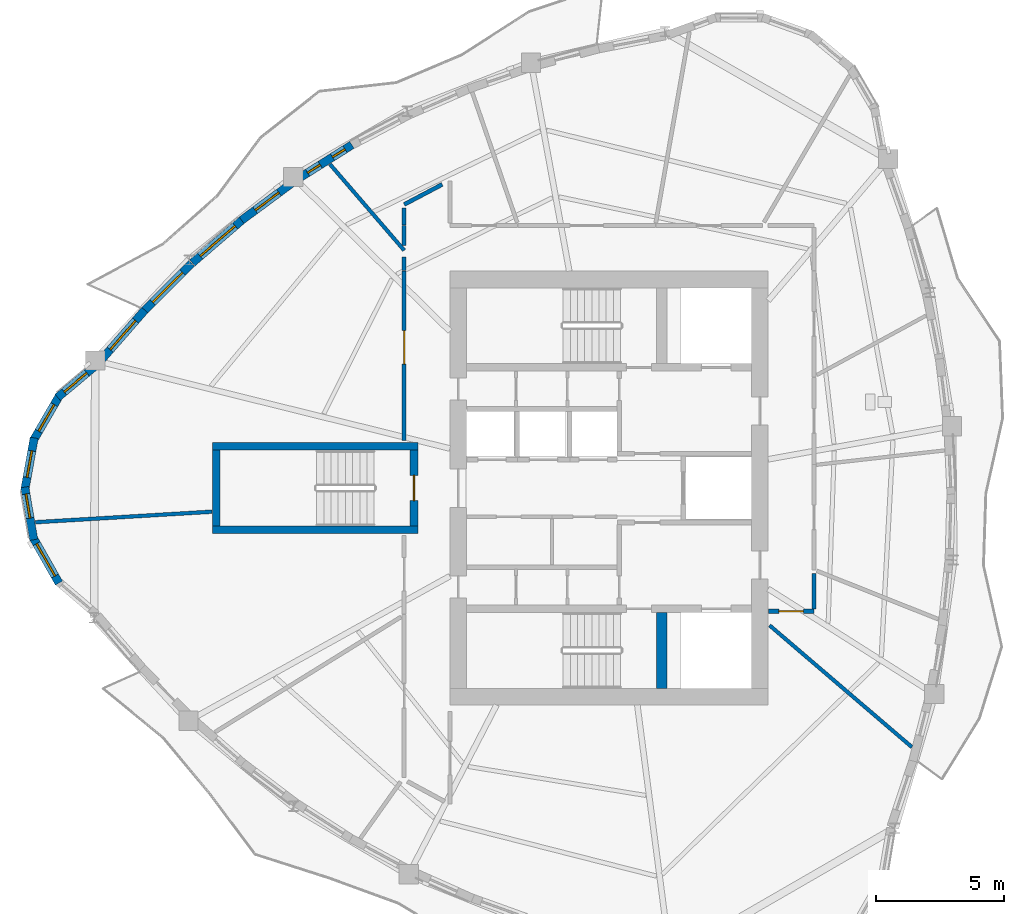
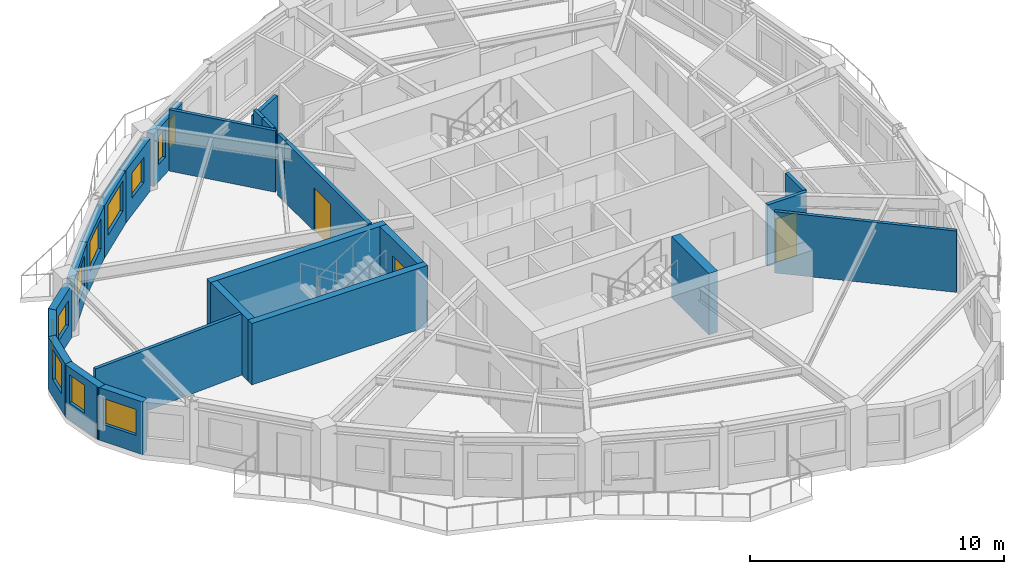
# One storey, part 4 of 12: 25 walls, 11 windows, 3 doors, 14 openings.
"""IFC4 building model written with IfcOpenShell, lengths in metres."""

from ifc_helpers import new_model, si_unit, direction, frame, frame_2d, origin, place, context, subcontext, project, spatial, rectangle, extrude, source, transform, mapped, material, layer, layer_set, type_object, element, fill, save


model = new_model("IFC4")

# Units and contexts
model_context = context("Model", 3, precision=1e-05, world=origin(), true_north=direction((0.0, 1.0)))
body_context = subcontext(model_context, "Body", "Model", "MODEL_VIEW")
ifc_project = project(units=[si_unit("LENGTHUNIT", "METRE"), si_unit("AREAUNIT", "SQUARE_METRE"), si_unit("VOLUMEUNIT", "CUBIC_METRE"), si_unit("PLANEANGLEUNIT", "RADIAN"), si_unit("MASSUNIT", "GRAM", prefix="KILO")], contexts=[model_context])

# Site, building, storey
site_placement = place(None, origin())
site = spatial("IfcSite", under=ifc_project, at=site_placement, CompositionType="ELEMENT")
building_placement = place(site_placement, origin())
building = spatial("IfcBuilding", under=site, at=building_placement, Name="Qafzar Sky-Pleat Residences", CompositionType="ELEMENT")
storey_placement = place(building_placement, frame((0.0, 0.0, 181.0)))
storey = spatial("IfcBuildingStorey", under=building, at=storey_placement, Name="L54", CompositionType="ELEMENT", Elevation=181.0)

# Wall, opening, door
ifc_material_1 = material(Name="Acoustic gypsum plasterboard partition", Category="gypsum")
ifc_layer_1 = layer(ifc_material_1, 0.159912109375)
ifc_layer_set_1 = layer_set([ifc_layer_1], Name="Acoustic gypsum plasterboard partition")
wall_type_1 = type_object("IfcWallType", Name="PART-COR-160", PredefinedType="PARTITIONING", material=ifc_layer_set_1)
wall_1_placement = place(storey_placement, frame((22.3701171875, 27.85009765625, 0.0), z_axis=(0.0, 0.0, 1.0), x_axis=(0.0, 1.0, 0.0)))
wall_1 = element("IfcWall", 1, at=wall_1_placement, inside=storey, type_object=wall_type_1, Name="L54 Partition Wall PART-L54-PW-001", PredefinedType="PARTITIONING", context=body_context, shape_type="SweptSolid", body=[
    extrude(rectangle(XDim=6.599853515625, YDim=0.159912109375, at=frame_2d((3.2998046875, 0.0))), origin(), (0.0, 0.0, 1.0), 2.949951171875),
])
opening_1_placement = place(wall_1_placement, frame((2.9814453125, 0.0, 0.0)))
opening_1 = element("IfcOpeningElement", 2, at=opening_1_placement, cuts=wall_1, Name="Opening ID-05", PredefinedType="OPENING", context=body_context, shape_type="SweptSolid", body=[
    extrude(rectangle(XDim=1.300048828125, YDim=2.10009765625, at=frame_2d((0.64990234375, 1.050048828125))), frame((0.0, 0.08984375, 0.0), z_axis=(0.0, -1.0, 0.0), x_axis=(1.0, 0.0, 0.0)), (0.0, 0.0, 1.0), 0.179931640625),
])
ifc_material_2 = material(Name="Timber-faced fire door", Category="wood")
door_type_1 = type_object("IfcDoorType", Name="DR-LNG-1300", OperationType="DOUBLE_DOOR_SINGLE_SWING", PredefinedType="DOOR", material=ifc_material_2)
shared_shape_1 = source(origin(), body_context, "Body", "SweptSolid", [
    extrude(rectangle(XDim=1.300048828125, YDim=2.10009765625, at=frame_2d((0.64990234375, 1.050048828125))), frame((0.0, 0.02490234375, 0.0), z_axis=(0.0, -1.0, 0.0), x_axis=(1.0, 0.0, 0.0)), (0.0, 0.0, 1.0), 0.050048828125),
])
door_1_placement = place(opening_1_placement, origin())
door_1 = element("IfcDoor", 3, at=door_1_placement, inside=storey, type_object=door_type_1, Name="L54 Tutorial Huddle Room Door", OperationType="DOUBLE_DOOR_SINGLE_SWING", OverallHeight=2.10009765625, OverallWidth=1.300048828125, PredefinedType="DOOR", context=body_context, shape_type="MappedRepresentation", body=[
    mapped(shared_shape_1, transform((0.0, 0.0, 0.0), x_axis=(1.0, 0.0, 0.0), y_axis=(0.0, 1.0, 0.0), z_axis=(0.0, 0.0, 1.0), scale=1.0)),
])
fill(opening_1, door_1)

wall_2_placement = place(storey_placement, frame((38.330078125, 21.199951171875, 0.0), z_axis=(0.0, 0.0, 1.0), x_axis=(-1.0, 0.0, 0.0)))
wall_2 = element("IfcWall", 4, at=wall_2_placement, inside=storey, type_object=wall_type_1, Name="L54 Partition Wall PART-L54-PW-011", PredefinedType="PARTITIONING", context=body_context, shape_type="SweptSolid", body=[
    extrude(rectangle(XDim=1.77197265625, YDim=0.159912109375, at=frame_2d((0.885986328125, 0.0))), origin(), (0.0, 0.0, 1.0), 2.949951171875),
])
opening_2_placement = place(wall_2_placement, frame((0.409912109375, 0.0, 0.0)))
opening_2 = element("IfcOpeningElement", 5, at=opening_2_placement, cuts=wall_2, Name="Opening ID-06", PredefinedType="OPENING", context=body_context, shape_type="SweptSolid", body=[
    extrude(rectangle(XDim=0.9599609375, YDim=2.10009765625, at=frame_2d((0.47998046875, 1.050048828125))), frame((0.0, 0.08984375, 0.0), z_axis=(0.0, -1.0, 0.0), x_axis=(1.0, 0.0, 0.0)), (0.0, 0.0, 1.0), 0.179931640625),
])
door_type_2 = type_object("IfcDoorType", Name="DR-STD-960", OperationType="NOTDEFINED", PredefinedType="DOOR", material=ifc_material_2)
shared_shape_2 = source(origin(), body_context, "Body", "SweptSolid", [
    extrude(rectangle(XDim=0.9599609375, YDim=2.10009765625, at=frame_2d((0.47998046875, 1.050048828125))), frame((0.0, 0.02490234375, 0.0), z_axis=(0.0, -1.0, 0.0), x_axis=(1.0, 0.0, 0.0)), (0.0, 0.0, 1.0), 0.050048828125),
])
door_2_placement = place(opening_2_placement, origin())
door_2 = element("IfcDoor", 6, at=door_2_placement, inside=storey, type_object=door_type_2, Name="L54 Reading Library Door", OperationType="SINGLE_SWING_RIGHT", OverallHeight=2.10009765625, OverallWidth=0.9599609375, PredefinedType="DOOR", context=body_context, shape_type="MappedRepresentation", body=[
    mapped(shared_shape_2, transform((0.0, 0.0, 0.0), x_axis=(1.0, 0.0, 0.0), y_axis=(0.0, 1.0, 0.0), z_axis=(0.0, 0.0, 1.0), scale=1.0)),
])
fill(opening_2, door_2)

# Walls
wall_3_placement = place(storey_placement, frame((22.3701171875, 37.044921875, 0.0), z_axis=(0.0, 0.0, 1.0), x_axis=(0.884434803915, 0.466663773635, 0.0)))
element("IfcWall", 7, at=wall_3_placement, inside=storey, type_object=wall_type_1, Name="L54 Partition Wall PART-L54-PW-027", PredefinedType="PARTITIONING", context=body_context, shape_type="SweptSolid", body=[
    extrude(rectangle(XDim=1.677734375, YDim=0.159912109375, at=frame_2d((0.8388671875, 0.0))), origin(), (0.0, 0.0, 1.0), 2.55810546875),
])
wall_4_placement = place(storey_placement, frame((38.330078125, 21.2880859375, 0.0), z_axis=(0.0, 0.0, 1.0), x_axis=(0.0, 1.0, 0.0)))
element("IfcWall", 8, at=wall_4_placement, inside=storey, type_object=wall_type_1, Name="L54 Partition Wall PART-L54-PW-028", PredefinedType="PARTITIONING", context=body_context, shape_type="SweptSolid", body=[
    extrude(rectangle(XDim=1.383056640625, YDim=0.159912109375, at=frame_2d((0.69140625, 0.0))), origin(), (0.0, 0.0, 1.0), 2.949951171875),
])
wall_5_placement = place(storey_placement, frame((22.3701171875, 35.447998046875, 0.0), z_axis=(0.0, 0.0, 1.0), x_axis=(0.0, 1.0, 0.0)))
element("IfcWall", 9, at=wall_5_placement, inside=storey, type_object=wall_type_1, Name="L54 Partition Wall PART-L54-PW-029", PredefinedType="PARTITIONING", context=body_context, shape_type="SweptSolid", body=[
    extrude(rectangle(XDim=0.781982421875, YDim=0.159912109375, at=frame_2d((0.39111328125, 0.0))), origin(), (0.0, 0.0, 1.0), 2.949951171875),
])
wall_6_placement = place(storey_placement, frame((22.3701171875, 36.2451171875, 0.0), z_axis=(0.0, 0.0, 1.0), x_axis=(0.0, 1.0, 0.0)))
element("IfcWall", 10, at=wall_6_placement, inside=storey, type_object=wall_type_1, Name="L54 Partition Wall PART-L54-PW-030", PredefinedType="PARTITIONING", context=body_context, shape_type="SweptSolid", body=[
    extrude(rectangle(XDim=0.6591796875, YDim=0.159912109375, at=frame_2d((0.32958984375, 0.0))), origin(), (0.0, 0.0, 1.0), 2.949951171875),
])
wall_7_placement = place(storey_placement, frame((22.3701171875, 34.465087890625, 0.0), z_axis=(0.0, 0.0, 1.0), x_axis=(0.0, 1.0, 0.0)))
element("IfcWall", 11, at=wall_7_placement, inside=storey, type_object=wall_type_1, Name="L54 Partition Wall PART-L54-PW-031", PredefinedType="PARTITIONING", context=body_context, shape_type="SweptSolid", body=[
    extrude(rectangle(XDim=0.5439453125, YDim=0.159912109375, at=frame_2d((0.27197265625, 0.0))), origin(), (0.0, 0.0, 1.0), 2.949951171875),
])
ifc_layer_2 = layer(ifc_material_1, 0.14501953125)
ifc_layer_set_2 = layer_set([ifc_layer_2], Name="Acoustic gypsum plasterboard partition")
wall_type_2 = type_object("IfcWallType", Name="PART-UNIT-145", PredefinedType="PARTITIONING", material=ifc_layer_set_2)
wall_8_placement = place(storey_placement, frame((36.603271484375, 20.650390625, 0.0), z_axis=(0.0, 0.0, 1.0), x_axis=(0.759924803985, -0.650010993975, 0.0)))
element("IfcWall", 12, at=wall_8_placement, inside=storey, type_object=wall_type_2, Name="L54 Partition Wall PART-L54-PW-014", PredefinedType="PARTITIONING", context=body_context, shape_type="SweptSolid", body=[
    extrude(rectangle(XDim=7.29443359375, YDim=0.14501953125, at=frame_2d((3.647216796875, 0.0))), origin(), (0.0, 0.0, 1.0), 2.949951171875),
])
wall_9_placement = place(storey_placement, frame((8.001220703125, 24.66748046875, 0.0), z_axis=(0.0, 0.0, 1.0), x_axis=(0.998224720456, 0.059560116444, 0.0)))
element("IfcWall", 13, at=wall_9_placement, inside=storey, type_object=wall_type_2, Name="L54 Partition Wall PART-L54-PW-015", PredefinedType="PARTITIONING", context=body_context, shape_type="SweptSolid", body=[
    extrude(rectangle(XDim=6.898681640625, YDim=0.14501953125, at=frame_2d((3.44921875, 0.0))), origin(), (0.0, 0.0, 1.0), 2.949951171875),
])
wall_10_placement = place(storey_placement, frame((19.477294921875, 38.61572265625, 0.0), z_axis=(0.0, 0.0, 1.0), x_axis=(0.652826266908, -0.757507666783, 0.0)))
element("IfcWall", 14, at=wall_10_placement, inside=storey, type_object=wall_type_2, Name="L54 Partition Wall PART-L54-PW-021", PredefinedType="PARTITIONING", context=body_context, shape_type="SweptSolid", body=[
    extrude(rectangle(XDim=4.43115234375, YDim=0.14501953125, at=frame_2d((2.215576171875, 0.0))), origin(), (0.0, 0.0, 1.0), 2.949951171875),
])

# Wall, opening, window
ifc_material_3 = material(Name="Precast concrete C40/50 with honed Riyadh limestone", Category="concrete")
ifc_layer_3 = layer(ifc_material_3, 0.320068359375)
ifc_layer_set_3 = layer_set([ifc_layer_3], Name="Precast concrete C40/50 with honed Riyadh limestone")
wall_type_3 = type_object("IfcWallType", Name="WALL-EXT-320", PredefinedType="SOLIDWALL", material=ifc_layer_set_3)
wall_11_placement = place(storey_placement, frame((10.314453125, 30.73828125, 0.0), z_axis=(0.0, 0.0, 1.0), x_axis=(-0.766567176116, -0.642164125829, 0.0)))
wall_11 = element("IfcWall", 15, at=wall_11_placement, inside=storey, type_object=wall_type_3, Name="L54 Limestone Facade Wall 1", PredefinedType="SOLIDWALL", context=body_context, shape_type="SweptSolid", body=[
    extrude(rectangle(XDim=1.878173828125, YDim=0.320068359375, at=frame_2d((0.93896484375, 0.0))), origin(), (0.0, 0.0, 1.0), 2.530029296875),
])
opening_3_placement = place(wall_11_placement, frame((0.39892578125, 0.0, 0.820068359375)))
opening_3 = element("IfcOpeningElement", 16, at=opening_3_placement, cuts=wall_11, Name="Opening WN-16", PredefinedType="OPENING", context=body_context, shape_type="SweptSolid", body=[
    extrude(rectangle(XDim=1.14990234375, YDim=1.199951171875, at=frame_2d((0.574951171875, 0.60009765625))), frame((0.0, 0.169921875, 0.0), z_axis=(0.0, -1.0, 0.0), x_axis=(1.0, 0.0, 0.0)), (0.0, 0.0, 1.0), 0.340087890625),
])
ifc_material_4 = material(Name="Solar-control low-E glass in bronze aluminium frame", Category="glass")
window_type_1 = type_object("IfcWindowType", Name="WIN-16", PartitioningType="SINGLE_PANEL", PredefinedType="WINDOW", material=ifc_material_4)
shared_shape_3 = source(origin(), body_context, "Body", "SweptSolid", [
    extrude(rectangle(XDim=1.14990234375, YDim=1.199951171875, at=frame_2d((0.574951171875, 0.60009765625))), frame((0.0, 0.030029296875, 0.0), z_axis=(0.0, -1.0, 0.0), x_axis=(1.0, 0.0, 0.0)), (0.0, 0.0, 1.0), 0.06005859375),
])
window_1_placement = place(opening_3_placement, origin())
window_1 = element("IfcWindow", 17, at=window_1_placement, inside=storey, type_object=window_type_1, Name="L54 Punched Facade Window 01", OverallHeight=1.199951171875, OverallWidth=1.14990234375, PartitioningType="SINGLE_PANEL", PredefinedType="WINDOW", context=body_context, shape_type="MappedRepresentation", body=[
    mapped(shared_shape_3, transform((0.0, 0.0, 0.0), x_axis=(1.0, 0.0, 0.0), y_axis=(0.0, 1.0, 0.0), z_axis=(0.0, 0.0, 1.0), scale=1.0)),
])
fill(opening_3, window_1)

wall_12_placement = place(storey_placement, frame((8.95849609375, 29.6318359375, 0.0), z_axis=(0.0, 0.0, 1.0), x_axis=(-0.502053430046, -0.864836605018, 0.0)))
wall_12 = element("IfcWall", 18, at=wall_12_placement, inside=storey, type_object=wall_type_3, Name="L54 Limestone Facade Wall 2", PredefinedType="SOLIDWALL", context=body_context, shape_type="SweptSolid", body=[
    extrude(rectangle(XDim=2.080810546875, YDim=0.320068359375, at=frame_2d((1.04052734375, 0.0))), origin(), (0.0, 0.0, 1.0), 2.530029296875),
])
opening_4_placement = place(wall_12_placement, frame((0.4404296875, 0.0, 0.820068359375)))
opening_4 = element("IfcOpeningElement", 19, at=opening_4_placement, cuts=wall_12, Name="Opening WN-05", PredefinedType="OPENING", context=body_context, shape_type="SweptSolid", body=[
    extrude(rectangle(XDim=1.199951171875, YDim=1.449951171875, at=frame_2d((0.60009765625, 0.72509765625))), frame((0.0, 0.169921875, 0.0), z_axis=(0.0, -1.0, 0.0), x_axis=(1.0, 0.0, 0.0)), (0.0, 0.0, 1.0), 0.340087890625),
])
window_type_2 = type_object("IfcWindowType", Name="WIN-05", PartitioningType="SINGLE_PANEL", PredefinedType="WINDOW", material=ifc_material_4)
shared_shape_4 = source(origin(), body_context, "Body", "SweptSolid", [
    extrude(rectangle(XDim=1.199951171875, YDim=1.449951171875, at=frame_2d((0.60009765625, 0.72509765625))), frame((0.0, 0.030029296875, 0.0), z_axis=(0.0, -1.0, 0.0), x_axis=(1.0, 0.0, 0.0)), (0.0, 0.0, 1.0), 0.06005859375),
])
window_2_placement = place(opening_4_placement, origin())
window_2 = element("IfcWindow", 20, at=window_2_placement, inside=storey, type_object=window_type_2, Name="L54 Punched Facade Window 02", OverallHeight=1.449951171875, OverallWidth=1.199951171875, PartitioningType="SINGLE_PANEL", PredefinedType="WINDOW", context=body_context, shape_type="MappedRepresentation", body=[
    mapped(shared_shape_4, transform((0.0, 0.0, 0.0), x_axis=(1.0, 0.0, 0.0), y_axis=(0.0, 1.0, 0.0), z_axis=(0.0, 0.0, 1.0), scale=1.0)),
])
fill(opening_4, window_2)

wall_13_placement = place(storey_placement, frame((7.95849609375, 27.954345703125, 0.0), z_axis=(0.0, 0.0, 1.0), x_axis=(-0.177625721103, -0.984098116654, 0.0)))
wall_13 = element("IfcWall", 21, at=wall_13_placement, inside=storey, type_object=wall_type_3, Name="L54 Limestone Facade Wall 3", PredefinedType="SOLIDWALL", context=body_context, shape_type="SweptSolid", body=[
    extrude(rectangle(XDim=2.0810546875, YDim=0.320068359375, at=frame_2d((1.04052734375, 0.0))), origin(), (0.0, 0.0, 1.0), 2.530029296875),
])
opening_5_placement = place(wall_13_placement, frame((0.515380859375, 0.0, 0.820068359375)))
opening_5 = element("IfcOpeningElement", 22, at=opening_5_placement, cuts=wall_13, Name="Opening WN-06", PredefinedType="OPENING", context=body_context, shape_type="SweptSolid", body=[
    extrude(rectangle(XDim=1.050048828125, YDim=1.449951171875, at=frame_2d((0.52490234375, 0.72509765625))), frame((0.0, 0.169921875, 0.0), z_axis=(0.0, -1.0, 0.0), x_axis=(1.0, 0.0, 0.0)), (0.0, 0.0, 1.0), 0.340087890625),
])
window_type_3 = type_object("IfcWindowType", Name="WIN-06", PartitioningType="SINGLE_PANEL", PredefinedType="WINDOW", material=ifc_material_4)
shared_shape_5 = source(origin(), body_context, "Body", "SweptSolid", [
    extrude(rectangle(XDim=1.050048828125, YDim=1.449951171875, at=frame_2d((0.52490234375, 0.72509765625))), frame((0.0, 0.030029296875, 0.0), z_axis=(0.0, -1.0, 0.0), x_axis=(1.0, 0.0, 0.0)), (0.0, 0.0, 1.0), 0.06005859375),
])
window_3_placement = place(opening_5_placement, origin())
window_3 = element("IfcWindow", 23, at=window_3_placement, inside=storey, type_object=window_type_3, Name="L54 Punched Facade Window 03", OverallHeight=1.449951171875, OverallWidth=1.050048828125, PartitioningType="SINGLE_PANEL", PredefinedType="WINDOW", context=body_context, shape_type="MappedRepresentation", body=[
    mapped(shared_shape_5, transform((0.0, 0.0, 0.0), x_axis=(1.0, 0.0, 0.0), y_axis=(0.0, 1.0, 0.0), z_axis=(0.0, 0.0, 1.0), scale=1.0)),
])
fill(opening_5, window_3)

wall_14_placement = place(storey_placement, frame((7.589599609375, 26.03662109375, 0.0), z_axis=(0.0, 0.0, 1.0), x_axis=(0.167993405511, -0.985788119073, 0.0)))
wall_14 = element("IfcWall", 24, at=wall_14_placement, inside=storey, type_object=wall_type_3, Name="L54 Limestone Facade Wall 4", PredefinedType="SOLIDWALL", context=body_context, shape_type="SweptSolid", body=[
    extrude(rectangle(XDim=2.0810546875, YDim=0.320068359375, at=frame_2d((1.04052734375, 0.0))), origin(), (0.0, 0.0, 1.0), 2.530029296875),
])
opening_6_placement = place(wall_14_placement, frame((0.27294921875, 0.0, 0.820068359375)))
opening_6 = element("IfcOpeningElement", 25, at=opening_6_placement, cuts=wall_14, Name="Opening WN-12", PredefinedType="OPENING", context=body_context, shape_type="SweptSolid", body=[
    extrude(rectangle(XDim=0.949951171875, YDim=1.35009765625, at=frame_2d((0.47509765625, 0.675048828125))), frame((0.0, 0.169921875, 0.0), z_axis=(0.0, -1.0, 0.0), x_axis=(1.0, 0.0, 0.0)), (0.0, 0.0, 1.0), 0.340087890625),
])
window_type_4 = type_object("IfcWindowType", Name="WIN-12", PartitioningType="SINGLE_PANEL", PredefinedType="WINDOW", material=ifc_material_4)
shared_shape_6 = source(origin(), body_context, "Body", "SweptSolid", [
    extrude(rectangle(XDim=0.949951171875, YDim=1.35009765625, at=frame_2d((0.47509765625, 0.675048828125))), frame((0.0, 0.030029296875, 0.0), z_axis=(0.0, -1.0, 0.0), x_axis=(1.0, 0.0, 0.0)), (0.0, 0.0, 1.0), 0.06005859375),
])
window_4_placement = place(opening_6_placement, origin())
window_4 = element("IfcWindow", 26, at=window_4_placement, inside=storey, type_object=window_type_4, Name="L54 Punched Facade Window 04", OverallHeight=1.35009765625, OverallWidth=0.949951171875, PartitioningType="SINGLE_PANEL", PredefinedType="WINDOW", context=body_context, shape_type="MappedRepresentation", body=[
    mapped(shared_shape_6, transform((0.0, 0.0, 0.0), x_axis=(1.0, 0.0, 0.0), y_axis=(0.0, 1.0, 0.0), z_axis=(0.0, 0.0, 1.0), scale=1.0)),
])
fill(opening_6, window_4)

wall_15_placement = place(storey_placement, frame((7.8955078125, 24.107666015625, 0.0), z_axis=(0.0, 0.0, 1.0), x_axis=(0.493660675866, -0.869654607936, 0.0)))
wall_15 = element("IfcWall", 27, at=wall_15_placement, inside=storey, type_object=wall_type_3, Name="L54 Limestone Facade Wall 5", PredefinedType="SOLIDWALL", context=body_context, shape_type="SweptSolid", body=[
    extrude(rectangle(XDim=2.0810546875, YDim=0.320068359375, at=frame_2d((1.04052734375, 0.0))), origin(), (0.0, 0.0, 1.0), 2.530029296875),
])
opening_7_placement = place(wall_15_placement, frame((0.3154296875, 0.0, 0.820068359375)))
opening_7 = element("IfcOpeningElement", 28, at=opening_7_placement, cuts=wall_15, Name="Opening WN-15", PredefinedType="OPENING", context=body_context, shape_type="SweptSolid", body=[
    extrude(rectangle(XDim=1.449951171875, YDim=1.25, at=frame_2d((0.72509765625, 0.625))), frame((0.0, 0.169921875, 0.0), z_axis=(0.0, -1.0, 0.0), x_axis=(1.0, 0.0, 0.0)), (0.0, 0.0, 1.0), 0.340087890625),
])
window_type_5 = type_object("IfcWindowType", Name="WIN-15", PartitioningType="SINGLE_PANEL", PredefinedType="WINDOW", material=ifc_material_4)
shared_shape_7 = source(origin(), body_context, "Body", "SweptSolid", [
    extrude(rectangle(XDim=1.449951171875, YDim=1.25, at=frame_2d((0.72509765625, 0.625))), frame((0.0, 0.030029296875, 0.0), z_axis=(0.0, -1.0, 0.0), x_axis=(1.0, 0.0, 0.0)), (0.0, 0.0, 1.0), 0.06005859375),
])
window_5_placement = place(opening_7_placement, origin())
window_5 = element("IfcWindow", 29, at=window_5_placement, inside=storey, type_object=window_type_5, Name="L54 Punched Facade Window 05", OverallHeight=1.25, OverallWidth=1.449951171875, PartitioningType="SINGLE_PANEL", PredefinedType="WINDOW", context=body_context, shape_type="MappedRepresentation", body=[
    mapped(shared_shape_7, transform((0.0, 0.0, 0.0), x_axis=(1.0, 0.0, 0.0), y_axis=(0.0, 1.0, 0.0), z_axis=(0.0, 0.0, 1.0), scale=1.0)),
])
fill(opening_7, window_5)

# Wall, openings, windows
wall_16_placement = place(storey_placement, frame((20.333984375, 39.365966796875, 0.0), z_axis=(0.0, 0.0, 1.0), x_axis=(-0.84643016858, -0.532499736825, 0.0)))
wall_16 = element("IfcWall", 30, at=wall_16_placement, inside=storey, type_object=wall_type_3, Name="L54 Limestone Facade Wall 44", PredefinedType="SOLIDWALL", context=body_context, shape_type="SweptSolid", body=[
    extrude(rectangle(XDim=2.437255859375, YDim=0.320068359375, at=frame_2d((1.21875, 0.0))), origin(), (0.0, 0.0, 1.0), 2.530029296875),
])
opening_8_placement = place(wall_16_placement, frame((0.314697265625, 0.0, 0.820068359375)))
opening_8 = element("IfcOpeningElement", 31, at=opening_8_placement, cuts=wall_16, Name="Opening WN-17", PredefinedType="OPENING", context=body_context, shape_type="SweptSolid", body=[
    extrude(rectangle(XDim=0.580078125, YDim=1.35009765625, at=frame_2d((0.2900390625, 0.675048828125))), frame((0.0, 0.169921875, 0.0), z_axis=(0.0, -1.0, 0.0), x_axis=(1.0, 0.0, 0.0)), (0.0, 0.0, 1.0), 0.340087890625),
])
opening_9_placement = place(wall_16_placement, frame((1.45849609375, 0.0, 0.820068359375)))
opening_9 = element("IfcOpeningElement", 32, at=opening_9_placement, cuts=wall_16, Name="Opening WN-17", PredefinedType="OPENING", context=body_context, shape_type="SweptSolid", body=[
    extrude(rectangle(XDim=0.580078125, YDim=1.35009765625, at=frame_2d((0.2900390625, 0.675048828125))), frame((0.0, 0.169921875, 0.0), z_axis=(0.0, -1.0, 0.0), x_axis=(1.0, 0.0, 0.0)), (0.0, 0.0, 1.0), 0.340087890625),
])
window_type_6 = type_object("IfcWindowType", Name="WIN-17", PartitioningType="SINGLE_PANEL", PredefinedType="WINDOW", material=ifc_material_4)
shared_shape_8 = source(origin(), body_context, "Body", "SweptSolid", [
    extrude(rectangle(XDim=0.580078125, YDim=1.35009765625, at=frame_2d((0.2900390625, 0.675048828125))), frame((0.0, 0.030029296875, 0.0), z_axis=(0.0, -1.0, 0.0), x_axis=(1.0, 0.0, 0.0)), (0.0, 0.0, 1.0), 0.06005859375),
])
window_6_placement = place(opening_8_placement, origin())
window_6 = element("IfcWindow", 33, at=window_6_placement, inside=storey, type_object=window_type_6, Name="L54 Punched Facade Window 44", OverallHeight=1.35009765625, OverallWidth=0.580078125, PartitioningType="SINGLE_PANEL", PredefinedType="WINDOW", context=body_context, shape_type="MappedRepresentation", body=[
    mapped(shared_shape_8, transform((0.0, 0.0, 0.0), x_axis=(1.0, 0.0, 0.0), y_axis=(0.0, 1.0, 0.0), z_axis=(0.0, 0.0, 1.0), scale=1.0)),
])
fill(opening_8, window_6)
window_7_placement = place(opening_9_placement, origin())
window_7 = element("IfcWindow", 34, at=window_7_placement, inside=storey, type_object=window_type_6, Name="L54 Punched Facade Window 44-2", OverallHeight=1.35009765625, OverallWidth=0.580078125, PartitioningType="SINGLE_PANEL", PredefinedType="WINDOW", context=body_context, shape_type="MappedRepresentation", body=[
    mapped(shared_shape_8, transform((0.0, 0.0, 0.0), x_axis=(1.0, 0.0, 0.0), y_axis=(0.0, 1.0, 0.0), z_axis=(0.0, 0.0, 1.0), scale=1.0)),
])
fill(opening_9, window_7)

# Wall, opening, window
wall_17_placement = place(storey_placement, frame((18.0087890625, 37.888916015625, 0.0), z_axis=(0.0, 0.0, 1.0), x_axis=(-0.803878079338, -0.594794110226, 0.0)))
wall_17 = element("IfcWall", 35, at=wall_17_placement, inside=storey, type_object=wall_type_3, Name="L54 Limestone Facade Wall 45", PredefinedType="SOLIDWALL", context=body_context, shape_type="SweptSolid", body=[
    extrude(rectangle(XDim=2.4521484375, YDim=0.320068359375, at=frame_2d((1.22607421875, 0.0))), origin(), (0.0, 0.0, 1.0), 2.530029296875),
])
opening_10_placement = place(wall_17_placement, frame((0.64599609375, 0.0, 0.820068359375)))
opening_10 = element("IfcOpeningElement", 36, at=opening_10_placement, cuts=wall_17, Name="Opening WN-16", PredefinedType="OPENING", context=body_context, shape_type="SweptSolid", body=[
    extrude(rectangle(XDim=1.14990234375, YDim=1.199951171875, at=frame_2d((0.574951171875, 0.60009765625))), frame((0.0, 0.169921875, 0.0), z_axis=(0.0, -1.0, 0.0), x_axis=(1.0, 0.0, 0.0)), (0.0, 0.0, 1.0), 0.340087890625),
])
window_8_placement = place(opening_10_placement, origin())
window_8 = element("IfcWindow", 37, at=window_8_placement, inside=storey, type_object=window_type_1, Name="L54 Punched Facade Window 45", OverallHeight=1.199951171875, OverallWidth=1.14990234375, PartitioningType="SINGLE_PANEL", PredefinedType="WINDOW", context=body_context, shape_type="MappedRepresentation", body=[
    mapped(shared_shape_3, transform((0.0, 0.0, 0.0), x_axis=(1.0, 0.0, 0.0), y_axis=(0.0, 1.0, 0.0), z_axis=(0.0, 0.0, 1.0), scale=1.0)),
])
fill(opening_10, window_8)

wall_18_placement = place(storey_placement, frame((16.106201171875, 36.485107421875, 0.0), z_axis=(0.0, 0.0, 1.0), x_axis=(-0.757462274619, -0.652878934052, 0.0)))
wall_18 = element("IfcWall", 38, at=wall_18_placement, inside=storey, type_object=wall_type_3, Name="L54 Limestone Facade Wall 46", PredefinedType="SOLIDWALL", context=body_context, shape_type="SweptSolid", body=[
    extrude(rectangle(XDim=2.626220703125, YDim=0.320068359375, at=frame_2d((1.31298828125, 0.0))), origin(), (0.0, 0.0, 1.0), 2.530029296875),
])
opening_11_placement = place(wall_18_placement, frame((0.423095703125, 0.0, 0.820068359375)))
opening_11 = element("IfcOpeningElement", 39, at=opening_11_placement, cuts=wall_18, Name="Opening WN-01", PredefinedType="OPENING", context=body_context, shape_type="SweptSolid", body=[
    extrude(rectangle(XDim=1.800048828125, YDim=1.449951171875, at=frame_2d((0.89990234375, 0.72509765625))), frame((0.0, 0.169921875, 0.0), z_axis=(0.0, -1.0, 0.0), x_axis=(1.0, 0.0, 0.0)), (0.0, 0.0, 1.0), 0.340087890625),
])
window_type_7 = type_object("IfcWindowType", Name="WIN-01", PartitioningType="DOUBLE_PANEL_VERTICAL", PredefinedType="WINDOW", material=ifc_material_4)
shared_shape_9 = source(origin(), body_context, "Body", "SweptSolid", [
    extrude(rectangle(XDim=1.800048828125, YDim=1.449951171875, at=frame_2d((0.89990234375, 0.72509765625))), frame((0.0, 0.030029296875, 0.0), z_axis=(0.0, -1.0, 0.0), x_axis=(1.0, 0.0, 0.0)), (0.0, 0.0, 1.0), 0.06005859375),
])
window_9_placement = place(opening_11_placement, origin())
window_9 = element("IfcWindow", 40, at=window_9_placement, inside=storey, type_object=window_type_7, Name="L54 Punched Facade Window 46", OverallHeight=1.449951171875, OverallWidth=1.800048828125, PartitioningType="SINGLE_PANEL", PredefinedType="WINDOW", context=body_context, shape_type="MappedRepresentation", body=[
    mapped(shared_shape_9, transform((0.0, 0.0, 0.0), x_axis=(1.0, 0.0, 0.0), y_axis=(0.0, 1.0, 0.0), z_axis=(0.0, 0.0, 1.0), scale=1.0)),
])
fill(opening_11, window_9)

wall_19_placement = place(storey_placement, frame((14.09619140625, 34.751220703125, 0.0), z_axis=(0.0, 0.0, 1.0), x_axis=(-0.708385947823, -0.705825296321, 0.0)))
wall_19 = element("IfcWall", 41, at=wall_19_placement, inside=storey, type_object=wall_type_3, Name="L54 Limestone Facade Wall 47", PredefinedType="SOLIDWALL", context=body_context, shape_type="SweptSolid", body=[
    extrude(rectangle(XDim=2.669677734375, YDim=0.320068359375, at=frame_2d((1.3349609375, 0.0))), origin(), (0.0, 0.0, 1.0), 2.530029296875),
])
opening_12_placement = place(wall_19_placement, frame((0.499755859375, 0.0, 0.820068359375)))
opening_12 = element("IfcOpeningElement", 42, at=opening_12_placement, cuts=wall_19, Name="Opening WN-02", PredefinedType="OPENING", context=body_context, shape_type="SweptSolid", body=[
    extrude(rectangle(XDim=1.64990234375, YDim=1.449951171875, at=frame_2d((0.824951171875, 0.72509765625))), frame((0.0, 0.169921875, 0.0), z_axis=(0.0, -1.0, 0.0), x_axis=(1.0, 0.0, 0.0)), (0.0, 0.0, 1.0), 0.340087890625),
])
window_type_8 = type_object("IfcWindowType", Name="WIN-02", PartitioningType="DOUBLE_PANEL_VERTICAL", PredefinedType="WINDOW", material=ifc_material_4)
shared_shape_10 = source(origin(), body_context, "Body", "SweptSolid", [
    extrude(rectangle(XDim=1.64990234375, YDim=1.449951171875, at=frame_2d((0.824951171875, 0.72509765625))), frame((0.0, 0.030029296875, 0.0), z_axis=(0.0, -1.0, 0.0), x_axis=(1.0, 0.0, 0.0)), (0.0, 0.0, 1.0), 0.06005859375),
])
window_10_placement = place(opening_12_placement, origin())
window_10 = element("IfcWindow", 43, at=window_10_placement, inside=storey, type_object=window_type_8, Name="L54 Punched Facade Window 47", OverallHeight=1.449951171875, OverallWidth=1.64990234375, PartitioningType="SINGLE_PANEL", PredefinedType="WINDOW", context=body_context, shape_type="MappedRepresentation", body=[
    mapped(shared_shape_10, transform((0.0, 0.0, 0.0), x_axis=(1.0, 0.0, 0.0), y_axis=(0.0, 1.0, 0.0), z_axis=(0.0, 0.0, 1.0), scale=1.0)),
])
fill(opening_12, window_10)

wall_20_placement = place(storey_placement, frame((12.2646484375, 32.9306640625, 0.0), z_axis=(0.0, 0.0, 1.0), x_axis=(-0.65762697751, -0.753343718664, 0.0)))
wall_20 = element("IfcWall", 44, at=wall_20_placement, inside=storey, type_object=wall_type_3, Name="L54 Limestone Facade Wall 48", PredefinedType="SOLIDWALL", context=body_context, shape_type="SweptSolid", body=[
    extrude(rectangle(XDim=2.581298828125, YDim=0.320068359375, at=frame_2d((1.29052734375, 0.0))), origin(), (0.0, 0.0, 1.0), 2.530029296875),
])
opening_13_placement = place(wall_20_placement, frame((0.545654296875, 0.0, 0.820068359375)))
opening_13 = element("IfcOpeningElement", 45, at=opening_13_placement, cuts=wall_20, Name="Opening WN-03", PredefinedType="OPENING", context=body_context, shape_type="SweptSolid", body=[
    extrude(rectangle(XDim=1.5, YDim=1.449951171875, at=frame_2d((0.75, 0.72509765625))), frame((0.0, 0.169921875, 0.0), z_axis=(0.0, -1.0, 0.0), x_axis=(1.0, 0.0, 0.0)), (0.0, 0.0, 1.0), 0.340087890625),
])
window_type_9 = type_object("IfcWindowType", Name="WIN-03", PartitioningType="DOUBLE_PANEL_VERTICAL", PredefinedType="WINDOW", material=ifc_material_4)
shared_shape_11 = source(origin(), body_context, "Body", "SweptSolid", [
    extrude(rectangle(XDim=1.5, YDim=1.449951171875, at=frame_2d((0.75, 0.72509765625))), frame((0.0, 0.030029296875, 0.0), z_axis=(0.0, -1.0, 0.0), x_axis=(1.0, 0.0, 0.0)), (0.0, 0.0, 1.0), 0.06005859375),
])
window_11_placement = place(opening_13_placement, origin())
window_11 = element("IfcWindow", 46, at=window_11_placement, inside=storey, type_object=window_type_9, Name="L54 Punched Facade Window 48", OverallHeight=1.449951171875, OverallWidth=1.5, PartitioningType="SINGLE_PANEL", PredefinedType="WINDOW", context=body_context, shape_type="MappedRepresentation", body=[
    mapped(shared_shape_11, transform((0.0, 0.0, 0.0), x_axis=(1.0, 0.0, 0.0), y_axis=(0.0, 1.0, 0.0), z_axis=(0.0, 0.0, 1.0), scale=1.0)),
])
fill(opening_13, window_11)

# Walls
ifc_material_5 = material(Name="Concrete C60/75", Category="concrete")
ifc_layer_4 = layer(ifc_material_5, 0.300048828125)
ifc_layer_set_4 = layer_set([ifc_layer_4], Name="Concrete C60/75")
wall_type_4 = type_object("IfcWallType", Name="WALL-SHEAR-300", PredefinedType="SHEAR", material=ifc_layer_set_4)
for number, where, z_axis, x_axis, name in (
    (47, (14.89990234375, 24.375, 0.0), (0.0, 0.0, 1.0), (1.0, 0.0, 0.0), "L54 ST3 wall S"),
    (48, (22.89990234375, 27.625, 0.0), (0.0, 0.0, 1.0), (-1.0, 0.0, 0.0), "L54 ST3 wall N"),
):
    element("IfcWall", number, at=place(storey_placement, frame(where, z_axis=z_axis, x_axis=x_axis)), inside=storey, type_object=wall_type_4, Name=name, PredefinedType="SHEAR", context=body_context, shape_type="SweptSolid", body=[
        extrude(rectangle(XDim=8.0, YDim=0.300048828125, at=frame_2d((4.0, 0.0))), origin(), (0.0, 0.0, 1.0), 2.949951171875),
    ])
wall_21_placement = place(storey_placement, frame((15.050048828125, 27.47509765625, 0.0), z_axis=(0.0, 0.0, 1.0), x_axis=(0.0, -1.0, 0.0)))
element("IfcWall", 49, at=wall_21_placement, inside=storey, type_object=wall_type_4, Name="L54 ST3 wall W", PredefinedType="SHEAR", context=body_context, shape_type="SweptSolid", body=[
    extrude(rectangle(XDim=2.9501953125, YDim=0.300048828125, at=frame_2d((1.47509765625, 0.0))), origin(), (0.0, 0.0, 1.0), 2.949951171875),
])

# Wall, opening, door
wall_22_placement = place(storey_placement, frame((22.75, 24.52490234375, 0.0), z_axis=(0.0, 0.0, 1.0), x_axis=(0.0, 1.0, 0.0)))
wall_22 = element("IfcWall", 50, at=wall_22_placement, inside=storey, type_object=wall_type_4, Name="L54 ST3 wall E", PredefinedType="SHEAR", context=body_context, shape_type="SweptSolid", body=[
    extrude(rectangle(XDim=2.9501953125, YDim=0.300048828125, at=frame_2d((1.47509765625, 0.0))), origin(), (0.0, 0.0, 1.0), 2.949951171875),
])
opening_14_placement = place(wall_22_placement, frame((0.985107421875, 0.0, 0.0)))
opening_14 = element("IfcOpeningElement", 51, at=opening_14_placement, cuts=wall_22, Name="Opening ID-01", PredefinedType="OPENING", context=body_context, shape_type="SweptSolid", body=[
    extrude(rectangle(XDim=0.97998046875, YDim=2.14990234375, at=frame_2d((0.489990234375, 1.074951171875))), frame((0.0, 0.16015625, 0.0), z_axis=(0.0, -1.0, 0.0), x_axis=(1.0, 0.0, 0.0)), (0.0, 0.0, 1.0), 0.320068359375),
])
door_type_3 = type_object("IfcDoorType", Name="DR-STAIR-980", OperationType="NOTDEFINED", PredefinedType="DOOR", material=ifc_material_2)
shared_shape_12 = source(origin(), body_context, "Body", "SweptSolid", [
    extrude(rectangle(XDim=0.97998046875, YDim=2.14990234375, at=frame_2d((0.489990234375, 1.074951171875))), frame((0.0, 0.02490234375, 0.0), z_axis=(0.0, -1.0, 0.0), x_axis=(1.0, 0.0, 0.0)), (0.0, 0.0, 1.0), 0.050048828125),
])
door_3_placement = place(opening_14_placement, origin())
door_3 = element("IfcDoor", 52, at=door_3_placement, inside=storey, type_object=door_type_3, Name="L54 Stair ST3 Fire Door", OperationType="SINGLE_SWING_LEFT", OverallHeight=2.14990234375, OverallWidth=0.97998046875, PredefinedType="DOOR", context=body_context, shape_type="MappedRepresentation", body=[
    mapped(shared_shape_12, transform((0.0, 0.0, 0.0), x_axis=(1.0, 0.0, 0.0), y_axis=(0.0, 1.0, 0.0), z_axis=(0.0, 0.0, 1.0), scale=1.0)),
])
fill(opening_14, door_3)

# Wall
ifc_layer_5 = layer(ifc_material_5, 0.39990234375)
ifc_layer_set_5 = layer_set([ifc_layer_5], Name="Concrete C60/75")
wall_type_5 = type_object("IfcWallType", Name="WALL-SHEAR-400", PredefinedType="SHEAR", material=ifc_layer_set_5)
wall_23_placement = place(storey_placement, frame((32.39990234375, 18.199951171875, 0.0), z_axis=(0.0, 0.0, 1.0), x_axis=(0.0, 1.0, 0.0)))
element("IfcWall", 53, at=wall_23_placement, inside=storey, type_object=wall_type_5, Name="L54 Stair ST1 East Dividing Wall", PredefinedType="SHEAR", context=body_context, shape_type="SweptSolid", body=[
    extrude(rectangle(XDim=2.949951171875, YDim=0.39990234375, at=frame_2d((1.47509765625, 0.0))), origin(), (0.0, 0.0, 1.0), 2.949951171875),
])

save(model, "model.ifc")
